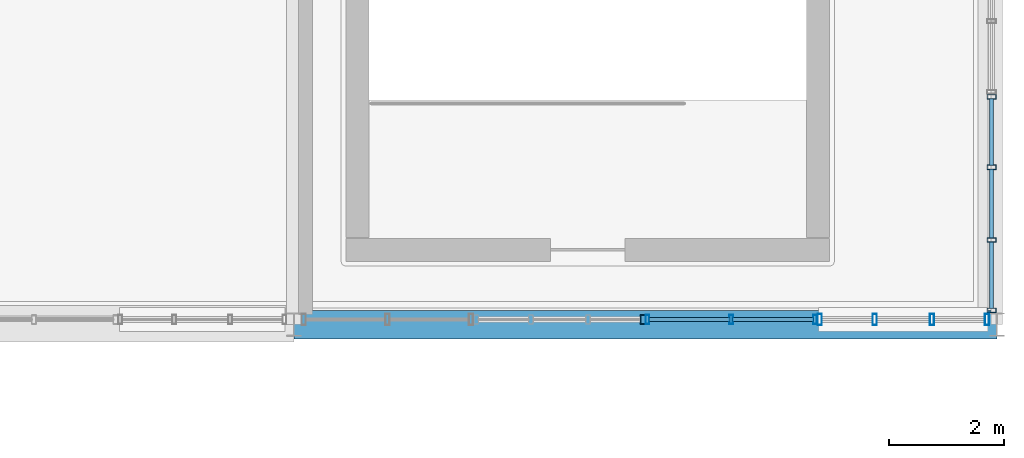
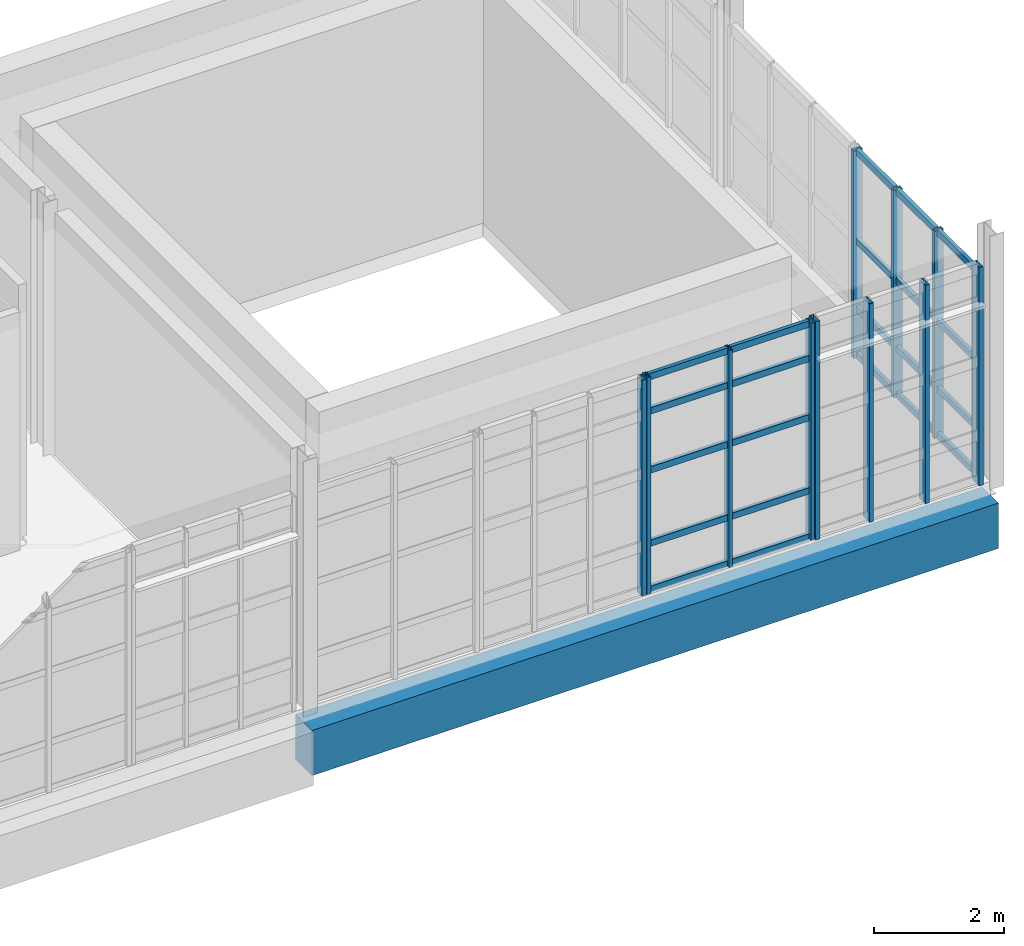
# One storey, part 53 of 102: 34 members, 1 beam, 4 elements without a shape of their own.
"""IFC4 building model written with IfcOpenShell, lengths in metres."""

from ifc_helpers import new_model, si_unit, derived_unit, direction, frame, origin, origin_2d, place, context, subcontext, project, spatial, rectangle, hollow_rectangle, extrude, material, layer, layer_set, material_profile, profile_set, type_object, element, aggregate, save


model = new_model("IFC4")

# Units and contexts
model_context = context("Model", 3, precision=1e-05, world=origin(), true_north=direction((0.0, 1.0)))
body_context = subcontext(model_context, "Body", "Model", "MODEL_VIEW")
ifc_project = project(units=[si_unit("LENGTHUNIT", "METRE"), si_unit("AREAUNIT", "SQUARE_METRE"), si_unit("VOLUMEUNIT", "CUBIC_METRE"), si_unit("PLANEANGLEUNIT", "RADIAN"), si_unit("MASSUNIT", "GRAM", prefix="KILO"), derived_unit("THERMALTRANSMITTANCEUNIT", [(si_unit("POWERUNIT", "WATT"), 1), (si_unit("LENGTHUNIT", "METRE"), -2), (si_unit("THERMODYNAMICTEMPERATUREUNIT", "KELVIN"), -1)])], contexts=[model_context])

# Site, building, storey
site_placement = place(None, origin())
site = spatial("IfcSite", under=ifc_project, at=site_placement, CompositionType="ELEMENT")
building_placement = place(site_placement, origin())
building = spatial("IfcBuilding", under=site, at=building_placement, Name="Nallur Shell Playhouse", CompositionType="ELEMENT")
storey_placement = place(building_placement, frame((0.0, 0.0, 15.0)))
storey = spatial("IfcBuildingStorey", under=building, at=storey_placement, Name="L04", CompositionType="ELEMENT", Elevation=15.0)

# Beam
ifc_material_1 = material(Name="Concrete M40", Category="concrete")
ifc_material_profile_1 = material_profile(ifc_material_1, rectangle(XDim=0.5, YDim=0.85009765625, at=origin_2d()), Name="RC 500x850")
ifc_profile_set_1 = profile_set([ifc_material_profile_1], Name="Concrete M40")
beam_type = type_object("IfcBeamType", Name="BM-RC-500x850", PredefinedType="BEAM", material=ifc_profile_set_1)
beam_placement = place(storey_placement, frame((147.60009765625, 24.0, -0.68505859375), z_axis=(1.0, 0.0, 0.0), x_axis=(0.0, 1.0, 0.0)))
element("IfcBeam", 1, at=beam_placement, inside=storey, type_object=beam_type, Name="L04 girder X-C-765", PredefinedType="BEAM", context=body_context, shape_type="SweptSolid", body=[
    extrude(rectangle(XDim=0.5, YDim=0.85009765625, at=origin_2d()), origin(), (0.0, 0.0, 1.0), 12.199951171875),
])

# Curtain wall, members
ifc_material_2 = material(Name="Anodised Aluminium Double-Glazed Facade System", Category="aluminium")
ifc_layer_1 = layer(ifc_material_2, 0.179931640625)
ifc_layer_set_1 = layer_set([ifc_layer_1], Name="Anodised Aluminium Double-Glazed Facade System")
curtain_wall_type_1 = type_object("IfcCurtainWallType", Name="CW-UNIT-23", PredefinedType="NOTDEFINED", material=ifc_layer_set_1)
curtain_wall_1_placement = place(storey_placement, origin())
curtain_wall_1 = element("IfcCurtainWall", 2, at=curtain_wall_1_placement, inside=storey, type_object=curtain_wall_type_1, Name="Unitised curtain wall CW-119 (L04)", PredefinedType="NOTDEFINED")
ifc_material_3 = material(Name="Aluminium Alloy 6063-T6 Mullion", Category="aluminium")
ifc_material_profile_2 = material_profile(ifc_material_3, hollow_rectangle(XDim=0.080078125, YDim=0.159912109375, WallThickness=0.006103515625, at=origin_2d()), Name="RHS 160x80x6")
ifc_profile_set_2 = profile_set([ifc_material_profile_2], Name="Aluminium Alloy 6063-T6 Mullion")
member_type_1 = type_object("IfcMemberType", Name="MB-CW-MUL150", PredefinedType="MULLION", material=ifc_profile_set_2)
member_1_placement = place(storey_placement, frame((159.7099609375, 27.955078125, -0.014892578125), z_axis=(0.0, 0.0, 1.0), x_axis=(0.0, -1.0, 0.0)))
member_1 = element("IfcMember", 3, at=member_1_placement, type_object=member_type_1, Name="CW-23 mullion 1", PredefinedType="MULLION", context=body_context, shape_type="SweptSolid", body=[
    extrude(hollow_rectangle(XDim=0.080078125, YDim=0.159912109375, WallThickness=0.006103515625, at=origin_2d()), origin(), (0.0, 0.0, 1.0), 3.893798828125),
])
member_2_placement = place(storey_placement, frame((159.7099609375, 26.732666015625, -0.014892578125), z_axis=(0.0, 0.0, 1.0), x_axis=(0.0, -1.0, 0.0)))
member_2 = element("IfcMember", 4, at=member_2_placement, type_object=member_type_1, Name="CW-23 mullion 2", PredefinedType="MULLION", context=body_context, shape_type="SweptSolid", body=[
    extrude(hollow_rectangle(XDim=0.080078125, YDim=0.159912109375, WallThickness=0.006103515625, at=origin_2d()), origin(), (0.0, 0.0, 1.0), 3.893798828125),
])
member_3_placement = place(storey_placement, frame((159.7099609375, 25.47021484375, -0.014892578125), z_axis=(0.0, 0.0, 1.0), x_axis=(0.0, -1.0, 0.0)))
member_3 = element("IfcMember", 5, at=member_3_placement, type_object=member_type_1, Name="CW-23 mullion 3", PredefinedType="MULLION", context=body_context, shape_type="SweptSolid", body=[
    extrude(hollow_rectangle(XDim=0.080078125, YDim=0.159912109375, WallThickness=0.006103515625, at=origin_2d()), origin(), (0.0, 0.0, 1.0), 3.893798828125),
])
member_4_placement = place(storey_placement, frame((159.7099609375, 24.248046875, -0.014892578125), z_axis=(0.0, 0.0, 1.0), x_axis=(0.0, -1.0, 0.0)))
member_4 = element("IfcMember", 6, at=member_4_placement, type_object=member_type_1, Name="CW-23 mullion 4", PredefinedType="MULLION", context=body_context, shape_type="SweptSolid", body=[
    extrude(hollow_rectangle(XDim=0.080078125, YDim=0.159912109375, WallThickness=0.006103515625, at=origin_2d()), origin(), (0.0, 0.0, 1.0), 3.893798828125),
])

# Curtain wall, member
ifc_layer_2 = layer(ifc_material_2, 0.16796875)
ifc_layer_set_2 = layer_set([ifc_layer_2], Name="Anodised Aluminium Double-Glazed Facade System")
curtain_wall_type_2 = type_object("IfcCurtainWallType", Name="CW-UNIT-26", PredefinedType="NOTDEFINED", material=ifc_layer_set_2)
curtain_wall_2_placement = place(storey_placement, origin())
curtain_wall_2 = element("IfcCurtainWall", 7, at=curtain_wall_2_placement, inside=storey, type_object=curtain_wall_type_2, Name="Unitised curtain wall CW-122 (L04)", PredefinedType="NOTDEFINED")
member_5_placement = place(storey_placement, frame((153.655029296875, 24.090087890625, -0.014892578125), z_axis=(0.0, 0.0, 1.0), x_axis=(-1.0, 0.0, 0.0)))
member_5 = element("IfcMember", 8, at=member_5_placement, type_object=member_type_1, Name="CW-26 mullion 1", PredefinedType="MULLION", context=body_context, shape_type="SweptSolid", body=[
    extrude(hollow_rectangle(XDim=0.080078125, YDim=0.159912109375, WallThickness=0.006103515625, at=origin_2d()), origin(), (0.0, 0.0, 1.0), 4.06396484375),
])
aggregate(curtain_wall_2, [member_5])

# Curtain wall, members
ifc_layer_3 = layer(ifc_material_2, 0.1640625)
ifc_layer_set_3 = layer_set([ifc_layer_3], Name="Anodised Aluminium Double-Glazed Facade System")
curtain_wall_type_3 = type_object("IfcCurtainWallType", Name="CW-UNIT-25", PredefinedType="NOTDEFINED", material=ifc_layer_set_3)
curtain_wall_3_placement = place(storey_placement, origin())
curtain_wall_3 = element("IfcCurtainWall", 9, at=curtain_wall_3_placement, inside=storey, type_object=curtain_wall_type_3, Name="Unitised curtain wall CW-121 (L04)", PredefinedType="NOTDEFINED")
ifc_material_profile_3 = material_profile(ifc_material_3, hollow_rectangle(XDim=0.06494140625, YDim=0.159912109375, WallThickness=0.00390625, at=origin_2d()), Name="ALU 65x160x4")
ifc_profile_set_3 = profile_set([ifc_material_profile_3], Name="Aluminium Alloy 6063-T6 Mullion")
member_type_2 = type_object("IfcMemberType", Name="MB-CW-MUL160", PredefinedType="MULLION", material=ifc_profile_set_3)
member_6_placement = place(storey_placement, frame((156.64599609375, 24.090087890625, -0.014892578125), z_axis=(0.0, 0.0, 1.0), x_axis=(-1.0, 0.0, 0.0)))
member_6 = element("IfcMember", 10, at=member_6_placement, type_object=member_type_2, Name="CW-25 mullion 1", PredefinedType="MULLION", context=body_context, shape_type="SweptSolid", body=[
    extrude(hollow_rectangle(XDim=0.06494140625, YDim=0.159912109375, WallThickness=0.00390625, at=origin_2d()), origin(), (0.0, 0.0, 1.0), 4.083984375),
])
member_7_placement = place(storey_placement, frame((155.191650390625, 24.090087890625, -0.014892578125), z_axis=(0.0, 0.0, 1.0), x_axis=(-1.0, 0.0, 0.0)))
member_7 = element("IfcMember", 11, at=member_7_placement, type_object=member_type_2, Name="CW-25 mullion 2", PredefinedType="MULLION", context=body_context, shape_type="SweptSolid", body=[
    extrude(hollow_rectangle(XDim=0.06494140625, YDim=0.159912109375, WallThickness=0.00390625, at=origin_2d()), origin(), (0.0, 0.0, 1.0), 4.083984375),
])
member_8_placement = place(storey_placement, frame((153.737548828125, 24.090087890625, -0.014892578125), z_axis=(0.0, 0.0, 1.0), x_axis=(-1.0, 0.0, 0.0)))
member_8 = element("IfcMember", 12, at=member_8_placement, type_object=member_type_2, Name="CW-25 mullion 3", PredefinedType="MULLION", context=body_context, shape_type="SweptSolid", body=[
    extrude(hollow_rectangle(XDim=0.06494140625, YDim=0.159912109375, WallThickness=0.00390625, at=origin_2d()), origin(), (0.0, 0.0, 1.0), 4.083984375),
])

ifc_layer_4 = layer(ifc_material_2, 0.159912109375)
ifc_layer_set_4 = layer_set([ifc_layer_4], Name="Anodised Aluminium Double-Glazed Facade System")
curtain_wall_type_4 = type_object("IfcCurtainWallType", Name="CW-UNIT-24", PredefinedType="NOTDEFINED", material=ifc_layer_set_4)
curtain_wall_4_placement = place(storey_placement, origin())
curtain_wall_4 = element("IfcCurtainWall", 13, at=curtain_wall_4_placement, inside=storey, type_object=curtain_wall_type_4, Name="Unitised curtain wall CW-120 (L04)", PredefinedType="NOTDEFINED")
ifc_material_profile_4 = material_profile(ifc_material_3, hollow_rectangle(XDim=0.074951171875, YDim=0.199951171875, WallThickness=0.0048828125, at=origin_2d()), Name="ALU 75x200x5")
ifc_profile_set_4 = profile_set([ifc_material_profile_4], Name="Aluminium Alloy 6063-T6 Mullion")
member_type_3 = type_object("IfcMemberType", Name="MB-CW-MUL180", PredefinedType="MULLION", material=ifc_profile_set_4)
member_9_placement = place(storey_placement, frame((159.62939453125, 24.090087890625, -0.014892578125), z_axis=(0.0, 0.0, 1.0), x_axis=(-1.0, 0.0, 0.0)))
member_9 = element("IfcMember", 14, at=member_9_placement, type_object=member_type_3, Name="CW-24 mullion 1", PredefinedType="MULLION", context=body_context, shape_type="SweptSolid", body=[
    extrude(hollow_rectangle(XDim=0.074951171875, YDim=0.199951171875, WallThickness=0.0048828125, at=origin_2d()), origin(), (0.0, 0.0, 1.0), 4.10400390625),
])
member_10_placement = place(storey_placement, frame((158.674072265625, 24.090087890625, -0.014892578125), z_axis=(0.0, 0.0, 1.0), x_axis=(-1.0, 0.0, 0.0)))
member_10 = element("IfcMember", 15, at=member_10_placement, type_object=member_type_3, Name="CW-24 mullion 2", PredefinedType="MULLION", context=body_context, shape_type="SweptSolid", body=[
    extrude(hollow_rectangle(XDim=0.074951171875, YDim=0.199951171875, WallThickness=0.0048828125, at=origin_2d()), origin(), (0.0, 0.0, 1.0), 4.10400390625),
])
member_11_placement = place(storey_placement, frame((157.681396484375, 24.090087890625, -0.014892578125), z_axis=(0.0, 0.0, 1.0), x_axis=(-1.0, 0.0, 0.0)))
member_11 = element("IfcMember", 16, at=member_11_placement, type_object=member_type_3, Name="CW-24 mullion 3", PredefinedType="MULLION", context=body_context, shape_type="SweptSolid", body=[
    extrude(hollow_rectangle(XDim=0.074951171875, YDim=0.199951171875, WallThickness=0.0048828125, at=origin_2d()), origin(), (0.0, 0.0, 1.0), 4.10400390625),
])
member_12_placement = place(storey_placement, frame((156.72607421875, 24.090087890625, -0.014892578125), z_axis=(0.0, 0.0, 1.0), x_axis=(-1.0, 0.0, 0.0)))
member_12 = element("IfcMember", 17, at=member_12_placement, type_object=member_type_3, Name="CW-24 mullion 4", PredefinedType="MULLION", context=body_context, shape_type="SweptSolid", body=[
    extrude(hollow_rectangle(XDim=0.074951171875, YDim=0.199951171875, WallThickness=0.0048828125, at=origin_2d()), origin(), (0.0, 0.0, 1.0), 4.10400390625),
])
aggregate(curtain_wall_4, [member_9, member_10, member_11, member_12])

# Member
ifc_material_4 = material(Name="Aluminium Alloy 6063-T6 Transom", Category="aluminium")
ifc_material_profile_5 = material_profile(ifc_material_4, hollow_rectangle(XDim=0.06494140625, YDim=0.1201171875, WallThickness=0.00390625, at=origin_2d()), Name="ALU 65x120x4")
ifc_profile_set_5 = profile_set([ifc_material_profile_5], Name="Aluminium Alloy 6063-T6 Transom")
member_type_4 = type_object("IfcMemberType", Name="MB-CW-TRN120", PredefinedType="USERDEFINED", material=ifc_profile_set_5)
member_13_placement = place(storey_placement, frame((159.7099609375, 27.923095703125, 0.032470703125), z_axis=(0.0, -1.0, 0.0), x_axis=(1.0, 0.0, 0.0)))
member_13 = element("IfcMember", 18, at=member_13_placement, type_object=member_type_4, Name="CW-23 transom 1.1", ObjectType="TRANSOM", PredefinedType="USERDEFINED", context=body_context, shape_type="SweptSolid", body=[
    extrude(hollow_rectangle(XDim=0.06494140625, YDim=0.1201171875, WallThickness=0.00390625, at=origin_2d()), origin(), (0.0, 0.0, 1.0), 1.158447265625),
])

member_14_placement = place(storey_placement, frame((159.7099609375, 27.923095703125, 0.89990234375), z_axis=(0.0, -1.0, 0.0), x_axis=(1.0, 0.0, 0.0)))
member_14 = element("IfcMember", 19, at=member_14_placement, type_object=member_type_4, Name="CW-23 transom 1.2", ObjectType="TRANSOM", PredefinedType="USERDEFINED", context=body_context, shape_type="SweptSolid", body=[
    extrude(hollow_rectangle(XDim=0.06494140625, YDim=0.1201171875, WallThickness=0.00390625, at=origin_2d()), origin(), (0.0, 0.0, 1.0), 1.158447265625),
])

member_15_placement = place(storey_placement, frame((159.7099609375, 27.923095703125, 2.169921875), z_axis=(0.0, -1.0, 0.0), x_axis=(1.0, 0.0, 0.0)))
member_15 = element("IfcMember", 20, at=member_15_placement, type_object=member_type_4, Name="CW-23 transom 1.3", ObjectType="TRANSOM", PredefinedType="USERDEFINED", context=body_context, shape_type="SweptSolid", body=[
    extrude(hollow_rectangle(XDim=0.06494140625, YDim=0.1201171875, WallThickness=0.00390625, at=origin_2d()), origin(), (0.0, 0.0, 1.0), 1.158447265625),
])

member_16_placement = place(storey_placement, frame((159.7099609375, 27.923095703125, 3.842529296875), z_axis=(0.0, -1.0, 0.0), x_axis=(1.0, 0.0, 0.0)))
member_16 = element("IfcMember", 21, at=member_16_placement, type_object=member_type_4, Name="CW-23 transom 1.4", ObjectType="TRANSOM", PredefinedType="USERDEFINED", context=body_context, shape_type="SweptSolid", body=[
    extrude(hollow_rectangle(XDim=0.06494140625, YDim=0.1201171875, WallThickness=0.00390625, at=origin_2d()), origin(), (0.0, 0.0, 1.0), 1.158447265625),
])

member_17_placement = place(storey_placement, frame((159.7099609375, 26.70068359375, 0.032470703125), z_axis=(0.0, -1.0, 0.0), x_axis=(1.0, 0.0, 0.0)))
member_17 = element("IfcMember", 22, at=member_17_placement, type_object=member_type_4, Name="CW-23 transom 2.1", ObjectType="TRANSOM", PredefinedType="USERDEFINED", context=body_context, shape_type="SweptSolid", body=[
    extrude(hollow_rectangle(XDim=0.06494140625, YDim=0.1201171875, WallThickness=0.00390625, at=origin_2d()), origin(), (0.0, 0.0, 1.0), 1.1982421875),
])

member_18_placement = place(storey_placement, frame((159.7099609375, 26.70068359375, 0.89990234375), z_axis=(0.0, -1.0, 0.0), x_axis=(1.0, 0.0, 0.0)))
member_18 = element("IfcMember", 23, at=member_18_placement, type_object=member_type_4, Name="CW-23 transom 2.2", ObjectType="TRANSOM", PredefinedType="USERDEFINED", context=body_context, shape_type="SweptSolid", body=[
    extrude(hollow_rectangle(XDim=0.06494140625, YDim=0.1201171875, WallThickness=0.00390625, at=origin_2d()), origin(), (0.0, 0.0, 1.0), 1.1982421875),
])

member_19_placement = place(storey_placement, frame((159.7099609375, 26.70068359375, 2.169921875), z_axis=(0.0, -1.0, 0.0), x_axis=(1.0, 0.0, 0.0)))
member_19 = element("IfcMember", 24, at=member_19_placement, type_object=member_type_4, Name="CW-23 transom 2.3", ObjectType="TRANSOM", PredefinedType="USERDEFINED", context=body_context, shape_type="SweptSolid", body=[
    extrude(hollow_rectangle(XDim=0.06494140625, YDim=0.1201171875, WallThickness=0.00390625, at=origin_2d()), origin(), (0.0, 0.0, 1.0), 1.1982421875),
])

member_20_placement = place(storey_placement, frame((159.7099609375, 26.70068359375, 3.842529296875), z_axis=(0.0, -1.0, 0.0), x_axis=(1.0, 0.0, 0.0)))
member_20 = element("IfcMember", 25, at=member_20_placement, type_object=member_type_4, Name="CW-23 transom 2.4", ObjectType="TRANSOM", PredefinedType="USERDEFINED", context=body_context, shape_type="SweptSolid", body=[
    extrude(hollow_rectangle(XDim=0.06494140625, YDim=0.1201171875, WallThickness=0.00390625, at=origin_2d()), origin(), (0.0, 0.0, 1.0), 1.1982421875),
])

member_21_placement = place(storey_placement, frame((159.7099609375, 25.438232421875, 0.032470703125), z_axis=(0.0, -1.0, 0.0), x_axis=(1.0, 0.0, 0.0)))
member_21 = element("IfcMember", 26, at=member_21_placement, type_object=member_type_4, Name="CW-23 transom 3.1", ObjectType="TRANSOM", PredefinedType="USERDEFINED", context=body_context, shape_type="SweptSolid", body=[
    extrude(hollow_rectangle(XDim=0.06494140625, YDim=0.1201171875, WallThickness=0.00390625, at=origin_2d()), origin(), (0.0, 0.0, 1.0), 1.158203125),
])

member_22_placement = place(storey_placement, frame((159.7099609375, 25.438232421875, 0.89990234375), z_axis=(0.0, -1.0, 0.0), x_axis=(1.0, 0.0, 0.0)))
member_22 = element("IfcMember", 27, at=member_22_placement, type_object=member_type_4, Name="CW-23 transom 3.2", ObjectType="TRANSOM", PredefinedType="USERDEFINED", context=body_context, shape_type="SweptSolid", body=[
    extrude(hollow_rectangle(XDim=0.06494140625, YDim=0.1201171875, WallThickness=0.00390625, at=origin_2d()), origin(), (0.0, 0.0, 1.0), 1.158203125),
])

member_23_placement = place(storey_placement, frame((159.7099609375, 25.438232421875, 2.169921875), z_axis=(0.0, -1.0, 0.0), x_axis=(1.0, 0.0, 0.0)))
member_23 = element("IfcMember", 28, at=member_23_placement, type_object=member_type_4, Name="CW-23 transom 3.3", ObjectType="TRANSOM", PredefinedType="USERDEFINED", context=body_context, shape_type="SweptSolid", body=[
    extrude(hollow_rectangle(XDim=0.06494140625, YDim=0.1201171875, WallThickness=0.00390625, at=origin_2d()), origin(), (0.0, 0.0, 1.0), 1.158203125),
])

member_24_placement = place(storey_placement, frame((159.7099609375, 25.438232421875, 3.842529296875), z_axis=(0.0, -1.0, 0.0), x_axis=(1.0, 0.0, 0.0)))
member_24 = element("IfcMember", 29, at=member_24_placement, type_object=member_type_4, Name="CW-23 transom 3.4", ObjectType="TRANSOM", PredefinedType="USERDEFINED", context=body_context, shape_type="SweptSolid", body=[
    extrude(hollow_rectangle(XDim=0.06494140625, YDim=0.1201171875, WallThickness=0.00390625, at=origin_2d()), origin(), (0.0, 0.0, 1.0), 1.158203125),
])

aggregate(curtain_wall_1, [member_1, member_2, member_3, member_4, member_13, member_14, member_15, member_16, member_17, member_18, member_19, member_20, member_21, member_22, member_23, member_24])

member_25_placement = place(storey_placement, frame((156.62158203125, 24.090087890625, 0.032470703125), z_axis=(-1.0, 0.0, 0.0), x_axis=(0.0, -1.0, 0.0)))
member_25 = element("IfcMember", 30, at=member_25_placement, type_object=member_type_4, Name="CW-25 transom 1.1", ObjectType="TRANSOM", PredefinedType="USERDEFINED", context=body_context, shape_type="SweptSolid", body=[
    extrude(hollow_rectangle(XDim=0.06494140625, YDim=0.1201171875, WallThickness=0.00390625, at=origin_2d()), origin(), (0.0, 0.0, 1.0), 1.4052734375),
])

member_26_placement = place(storey_placement, frame((156.62158203125, 24.090087890625, 0.89990234375), z_axis=(-1.0, 0.0, 0.0), x_axis=(0.0, -1.0, 0.0)))
member_26 = element("IfcMember", 31, at=member_26_placement, type_object=member_type_4, Name="CW-25 transom 1.2", ObjectType="TRANSOM", PredefinedType="USERDEFINED", context=body_context, shape_type="SweptSolid", body=[
    extrude(hollow_rectangle(XDim=0.06494140625, YDim=0.1201171875, WallThickness=0.00390625, at=origin_2d()), origin(), (0.0, 0.0, 1.0), 1.4052734375),
])

member_27_placement = place(storey_placement, frame((156.62158203125, 24.090087890625, 2.27587890625), z_axis=(-1.0, 0.0, 0.0), x_axis=(0.0, -1.0, 0.0)))
member_27 = element("IfcMember", 32, at=member_27_placement, type_object=member_type_4, Name="CW-25 transom 1.3", ObjectType="TRANSOM", PredefinedType="USERDEFINED", context=body_context, shape_type="SweptSolid", body=[
    extrude(hollow_rectangle(XDim=0.06494140625, YDim=0.1201171875, WallThickness=0.00390625, at=origin_2d()), origin(), (0.0, 0.0, 1.0), 1.4052734375),
])

member_28_placement = place(storey_placement, frame((156.62158203125, 24.090087890625, 3.385009765625), z_axis=(-1.0, 0.0, 0.0), x_axis=(0.0, -1.0, 0.0)))
member_28 = element("IfcMember", 33, at=member_28_placement, type_object=member_type_4, Name="CW-25 transom 1.4", ObjectType="TRANSOM", PredefinedType="USERDEFINED", context=body_context, shape_type="SweptSolid", body=[
    extrude(hollow_rectangle(XDim=0.06494140625, YDim=0.1201171875, WallThickness=0.00390625, at=origin_2d()), origin(), (0.0, 0.0, 1.0), 1.4052734375),
])

member_29_placement = place(storey_placement, frame((156.62158203125, 24.090087890625, 4.032470703125), z_axis=(-1.0, 0.0, 0.0), x_axis=(0.0, -1.0, 0.0)))
member_29 = element("IfcMember", 34, at=member_29_placement, type_object=member_type_4, Name="CW-25 transom 1.5", ObjectType="TRANSOM", PredefinedType="USERDEFINED", context=body_context, shape_type="SweptSolid", body=[
    extrude(hollow_rectangle(XDim=0.06494140625, YDim=0.1201171875, WallThickness=0.00390625, at=origin_2d()), origin(), (0.0, 0.0, 1.0), 1.4052734375),
])

member_30_placement = place(storey_placement, frame((155.167236328125, 24.090087890625, 0.032470703125), z_axis=(-1.0, 0.0, 0.0), x_axis=(0.0, -1.0, 0.0)))
member_30 = element("IfcMember", 35, at=member_30_placement, type_object=member_type_4, Name="CW-25 transom 2.1", ObjectType="TRANSOM", PredefinedType="USERDEFINED", context=body_context, shape_type="SweptSolid", body=[
    extrude(hollow_rectangle(XDim=0.06494140625, YDim=0.1201171875, WallThickness=0.00390625, at=origin_2d()), origin(), (0.0, 0.0, 1.0), 1.4052734375),
])

member_31_placement = place(storey_placement, frame((155.167236328125, 24.090087890625, 0.89990234375), z_axis=(-1.0, 0.0, 0.0), x_axis=(0.0, -1.0, 0.0)))
member_31 = element("IfcMember", 36, at=member_31_placement, type_object=member_type_4, Name="CW-25 transom 2.2", ObjectType="TRANSOM", PredefinedType="USERDEFINED", context=body_context, shape_type="SweptSolid", body=[
    extrude(hollow_rectangle(XDim=0.06494140625, YDim=0.1201171875, WallThickness=0.00390625, at=origin_2d()), origin(), (0.0, 0.0, 1.0), 1.4052734375),
])

member_32_placement = place(storey_placement, frame((155.167236328125, 24.090087890625, 2.27587890625), z_axis=(-1.0, 0.0, 0.0), x_axis=(0.0, -1.0, 0.0)))
member_32 = element("IfcMember", 37, at=member_32_placement, type_object=member_type_4, Name="CW-25 transom 2.3", ObjectType="TRANSOM", PredefinedType="USERDEFINED", context=body_context, shape_type="SweptSolid", body=[
    extrude(hollow_rectangle(XDim=0.06494140625, YDim=0.1201171875, WallThickness=0.00390625, at=origin_2d()), origin(), (0.0, 0.0, 1.0), 1.4052734375),
])

member_33_placement = place(storey_placement, frame((155.167236328125, 24.090087890625, 3.385009765625), z_axis=(-1.0, 0.0, 0.0), x_axis=(0.0, -1.0, 0.0)))
member_33 = element("IfcMember", 38, at=member_33_placement, type_object=member_type_4, Name="CW-25 transom 2.4", ObjectType="TRANSOM", PredefinedType="USERDEFINED", context=body_context, shape_type="SweptSolid", body=[
    extrude(hollow_rectangle(XDim=0.06494140625, YDim=0.1201171875, WallThickness=0.00390625, at=origin_2d()), origin(), (0.0, 0.0, 1.0), 1.4052734375),
])

member_34_placement = place(storey_placement, frame((155.167236328125, 24.090087890625, 4.032470703125), z_axis=(-1.0, 0.0, 0.0), x_axis=(0.0, -1.0, 0.0)))
member_34 = element("IfcMember", 39, at=member_34_placement, type_object=member_type_4, Name="CW-25 transom 2.5", ObjectType="TRANSOM", PredefinedType="USERDEFINED", context=body_context, shape_type="SweptSolid", body=[
    extrude(hollow_rectangle(XDim=0.06494140625, YDim=0.1201171875, WallThickness=0.00390625, at=origin_2d()), origin(), (0.0, 0.0, 1.0), 1.4052734375),
])

aggregate(curtain_wall_3, [member_6, member_7, member_8, member_25, member_26, member_27, member_28, member_29, member_30, member_31, member_32, member_33, member_34])

save(model, "model.ifc")
